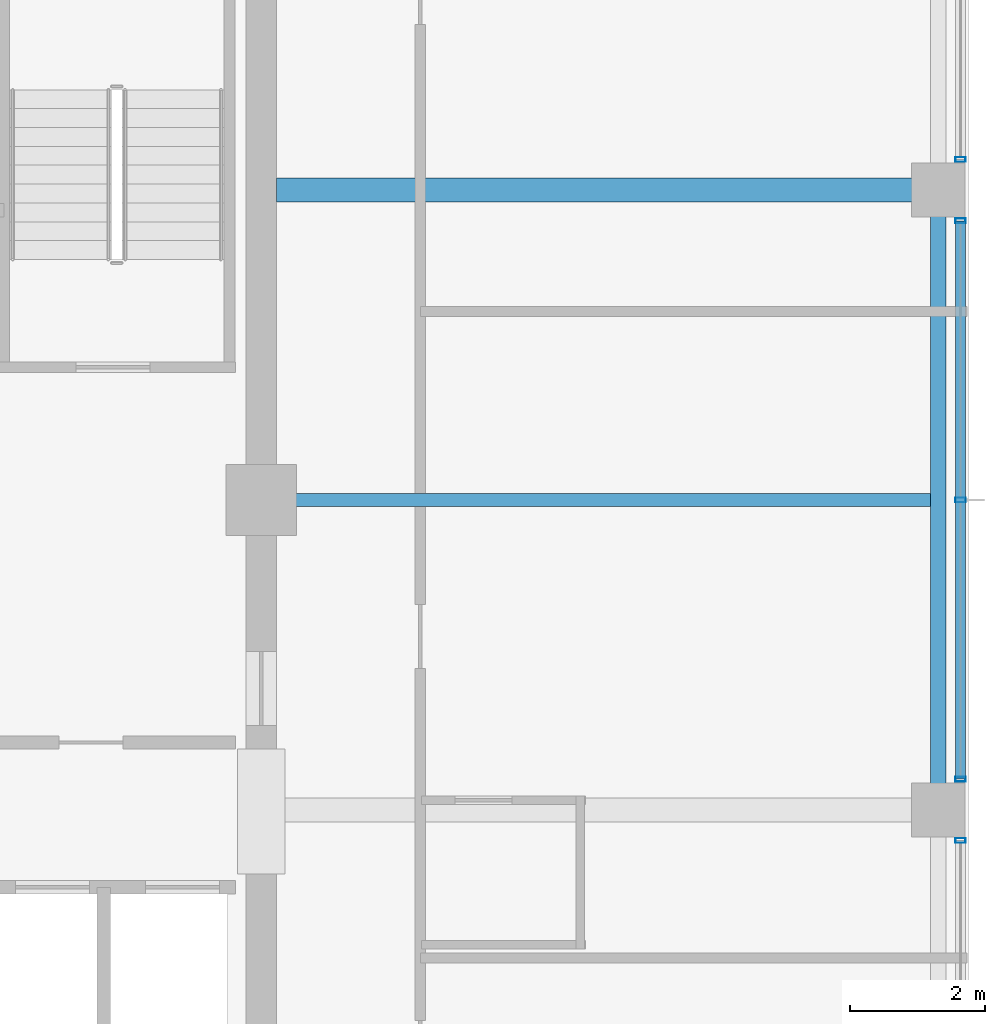
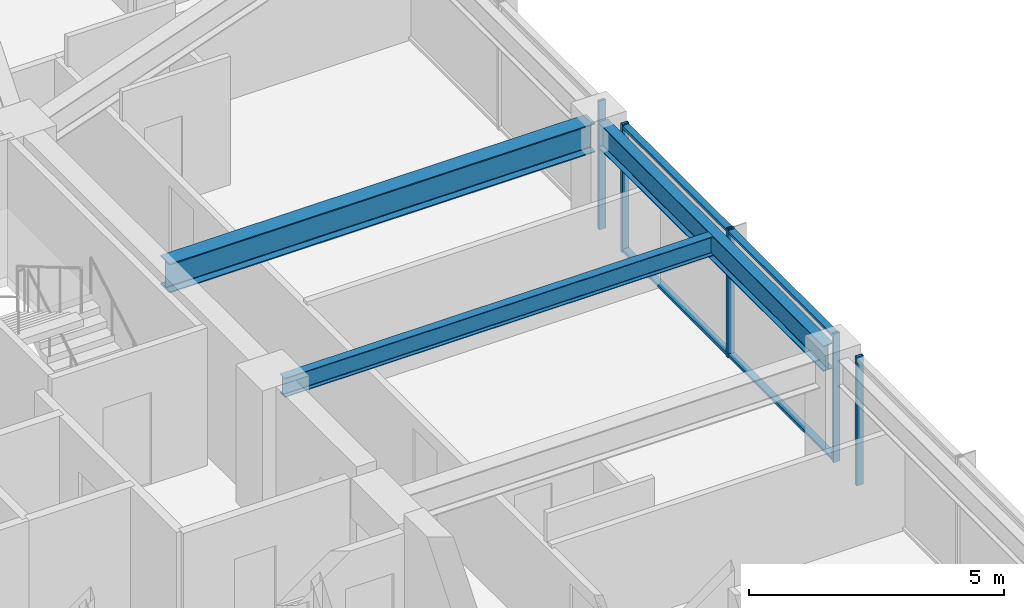
# One storey, part 13 of 36: 7 members, 3 beams, 3 elements without a shape of their own.
"""IFC4 building model written with IfcOpenShell, lengths in metres."""

from ifc_helpers import new_model, si_unit, direction, frame, origin, origin_2d, place, context, subcontext, project, spatial, hollow_rectangle, i_section, extrude, material, material_profile, profile_set, type_object, element, aggregate, save


model = new_model("IFC4")

# Units and contexts
model_context = context("Model", 3, precision=1e-05, world=origin(), true_north=direction((0.0, 1.0)))
body_context = subcontext(model_context, "Body", "Model", "MODEL_VIEW")
ifc_project = project(units=[si_unit("LENGTHUNIT", "METRE"), si_unit("AREAUNIT", "SQUARE_METRE"), si_unit("VOLUMEUNIT", "CUBIC_METRE"), si_unit("PLANEANGLEUNIT", "RADIAN"), si_unit("MASSUNIT", "GRAM", prefix="KILO")], contexts=[model_context])

# Site, building, storey
site_placement = place(None, origin())
site = spatial("IfcSite", under=ifc_project, at=site_placement, CompositionType="ELEMENT")
building_placement = place(site_placement, origin())
building = spatial("IfcBuilding", under=site, at=building_placement, Name="Kolvaren Belvedere", CompositionType="ELEMENT")
storey_placement = place(building_placement, frame((0.0, 0.0, 226.199951171875)))
storey = spatial("IfcBuildingStorey", under=building, at=storey_placement, Name="L66", CompositionType="ELEMENT", Elevation=226.199951171875)

# Beams
ifc_material_1 = material(Name="Structural steel ASTM A992 Grade 50", Category="steel")
ifc_material_profile_1 = material_profile(ifc_material_1, i_section(OverallWidth=0.35498046875, OverallDepth=0.696044921875, WebThickness=0.015380859375, FlangeThickness=0.02490234375, FilletRadius=0.02197265625, at=origin_2d()), Name="W27X146")
ifc_profile_set_1 = profile_set([ifc_material_profile_1], Name="Structural steel ASTM A992 Grade 50")
beam_type_1 = type_object("IfcBeamType", Name="BM-GIRD-W27X146", PredefinedType="BEAM", material=ifc_profile_set_1)
beam_1_placement = place(storey_placement, frame((10.125, 4.60009765625, 2.73193359375), z_axis=(1.0, 0.0, 0.0), x_axis=(0.0, 1.0, 0.0)))
element("IfcBeam", 1, at=beam_1_placement, inside=storey, type_object=beam_type_1, Name="L66 East Radial Girder P", PredefinedType="BEAM", context=body_context, shape_type="SweptSolid", body=[
    extrude(i_section(OverallWidth=0.35498046875, OverallDepth=0.696044921875, WebThickness=0.015380859375, FlangeThickness=0.02490234375, FilletRadius=0.02197265625, at=origin_2d()), origin(), (0.0, 0.0, 1.0), 9.64501953125),
])
ifc_material_2 = material(Name="Structural steel ASTM A992 Grade 50", Category="steel")
ifc_material_profile_2 = material_profile(ifc_material_2, i_section(OverallWidth=0.19091796875, OverallDepth=0.4599609375, WebThickness=0.010009765625, FlangeThickness=0.01611328125, FilletRadius=0.014892578125, at=origin_2d()), Name="W18X55")
ifc_profile_set_2 = profile_set([ifc_material_profile_2], Name="Structural steel ASTM A992 Grade 50")
beam_type_2 = type_object("IfcBeamType", Name="BM-JOIST-W18X55", PredefinedType="BEAM", material=ifc_profile_set_2)
beam_2_placement = place(storey_placement, frame((10.125, 0.0, 2.85009765625), z_axis=(1.0, 0.0, 0.0), x_axis=(0.0, 1.0, 0.0)))
element("IfcBeam", 2, at=beam_2_placement, inside=storey, type_object=beam_type_2, Name="L66 East Centre Floor Beam", PredefinedType="BEAM", context=body_context, shape_type="SweptSolid", body=[
    extrude(i_section(OverallWidth=0.19091796875, OverallDepth=0.4599609375, WebThickness=0.010009765625, FlangeThickness=0.01611328125, FilletRadius=0.014892578125, at=origin_2d()), origin(), (0.0, 0.0, 1.0), 9.71044921875),
])
ifc_material_3 = material(Name="Structural steel ASTM A992 Grade 50", Category="steel")
ifc_material_profile_3 = material_profile(ifc_material_3, i_section(OverallWidth=0.22900390625, OverallDepth=0.612060546875, WebThickness=0.011962890625, FlangeThickness=0.01953125, FilletRadius=0.01806640625, at=origin_2d()), Name="W24X84")
ifc_profile_set_3 = profile_set([ifc_material_profile_3], Name="Structural steel ASTM A992 Grade 50")
beam_type_3 = type_object("IfcBeamType", Name="BM-SPAN-W24X84", PredefinedType="SPANDREL", material=ifc_profile_set_3)
beam_3_placement = place(storey_placement, frame((19.949951171875, -4.419921875, 2.774169921875), z_axis=(0.0, 1.0, 0.0), x_axis=(-1.0, 0.0, 0.0)))
element("IfcBeam", 3, at=beam_3_placement, inside=storey, type_object=beam_type_3, Name="L66 Perimeter Spandrel E2-E3", PredefinedType="SPANDREL", context=body_context, shape_type="SweptSolid", body=[
    extrude(i_section(OverallWidth=0.22900390625, OverallDepth=0.612060546875, WebThickness=0.011962890625, FlangeThickness=0.01953125, FilletRadius=0.01806640625, at=origin_2d()), origin(), (0.0, 0.0, 1.0), 8.83984375),
])

# Curtain wall, member
ifc_material_4 = material(Name="Anodised pale-metal aluminium AA 6063-T6", Category="aluminium")
curtain_wall_type = type_object("IfcCurtainWallType", Name="CW-Z5-HIGH", PredefinedType="NOTDEFINED", material=ifc_material_4)
curtain_wall_1_placement = place(storey_placement, origin())
curtain_wall_1 = element("IfcCurtainWall", 4, at=curtain_wall_1_placement, inside=storey, type_object=curtain_wall_type, Name="L66 Unitised Curtain Wall FCW-L66-E-B1", PredefinedType="NOTDEFINED")
ifc_material_5 = material(Name="Anodised pale-metal aluminium AA 6063-T6", Category="aluminium")
ifc_material_profile_4 = material_profile(ifc_material_5, hollow_rectangle(XDim=0.070068359375, YDim=0.14990234375, WallThickness=0.004150390625, at=origin_2d()), Name="ALU-MUL-150X70")
ifc_profile_set_4 = profile_set([ifc_material_profile_4], Name="Anodised pale-metal aluminium AA 6063-T6")
member_type_1 = type_object("IfcMemberType", Name="CW-MUL-150", PredefinedType="MULLION", material=ifc_profile_set_4)
member_1_placement = place(storey_placement, frame((20.280029296875, 5.054931640625, 0.0), z_axis=(0.0, 0.0, 1.0), x_axis=(0.0, 1.0, 0.0)))
member_1 = element("IfcMember", 5, at=member_1_placement, type_object=member_type_1, Name="FCW-L66-E-B1 Unitised Mullion 3", PredefinedType="MULLION", context=body_context, shape_type="SweptSolid", body=[
    extrude(hollow_rectangle(XDim=0.070068359375, YDim=0.14990234375, WallThickness=0.004150390625, at=origin_2d()), origin(), (0.0, 0.0, 1.0), 3.080078125),
])
aggregate(curtain_wall_1, [member_1])

# Curtain wall, members
curtain_wall_2_placement = place(storey_placement, origin())
curtain_wall_2 = element("IfcCurtainWall", 6, at=curtain_wall_2_placement, inside=storey, type_object=curtain_wall_type, Name="L66 Unitised Curtain Wall FCW-L66-E-B2", PredefinedType="NOTDEFINED")
member_2_placement = place(storey_placement, frame((20.280029296875, 4.14501953125, 0.0), z_axis=(0.0, 0.0, 1.0), x_axis=(0.0, 1.0, 0.0)))
member_2 = element("IfcMember", 7, at=member_2_placement, type_object=member_type_1, Name="FCW-L66-E-B2 Unitised Mullion 1", PredefinedType="MULLION", context=body_context, shape_type="SweptSolid", body=[
    extrude(hollow_rectangle(XDim=0.070068359375, YDim=0.14990234375, WallThickness=0.004150390625, at=origin_2d()), origin(), (0.0, 0.0, 1.0), 3.080078125),
])
member_3_placement = place(storey_placement, frame((20.280029296875, 0.0, 0.0), z_axis=(0.0, 0.0, 1.0), x_axis=(0.0, 1.0, 0.0)))
member_3 = element("IfcMember", 8, at=member_3_placement, type_object=member_type_1, Name="FCW-L66-E-B2 Unitised Mullion 2", PredefinedType="MULLION", context=body_context, shape_type="SweptSolid", body=[
    extrude(hollow_rectangle(XDim=0.070068359375, YDim=0.14990234375, WallThickness=0.004150390625, at=origin_2d()), origin(), (0.0, 0.0, 1.0), 3.080078125),
])
member_4_placement = place(storey_placement, frame((20.280029296875, -4.14501953125, 0.0), z_axis=(0.0, 0.0, 1.0), x_axis=(0.0, 1.0, 0.0)))
member_4 = element("IfcMember", 9, at=member_4_placement, type_object=member_type_1, Name="FCW-L66-E-B2 Unitised Mullion 3", PredefinedType="MULLION", context=body_context, shape_type="SweptSolid", body=[
    extrude(hollow_rectangle(XDim=0.070068359375, YDim=0.14990234375, WallThickness=0.004150390625, at=origin_2d()), origin(), (0.0, 0.0, 1.0), 3.080078125),
])

# Curtain wall, member
curtain_wall_3_placement = place(storey_placement, origin())
curtain_wall_3 = element("IfcCurtainWall", 10, at=curtain_wall_3_placement, inside=storey, type_object=curtain_wall_type, Name="L66 Unitised Curtain Wall FCW-L66-E-B3", PredefinedType="NOTDEFINED")
member_5_placement = place(storey_placement, frame((20.280029296875, -5.054931640625, 0.0), z_axis=(0.0, 0.0, 1.0), x_axis=(0.0, 1.0, 0.0)))
member_5 = element("IfcMember", 11, at=member_5_placement, type_object=member_type_1, Name="FCW-L66-E-B3 Unitised Mullion 1", PredefinedType="MULLION", context=body_context, shape_type="SweptSolid", body=[
    extrude(hollow_rectangle(XDim=0.070068359375, YDim=0.14990234375, WallThickness=0.004150390625, at=origin_2d()), origin(), (0.0, 0.0, 1.0), 3.080078125),
])
aggregate(curtain_wall_3, [member_5])

# Member
ifc_material_6 = material(Name="Anodised pale-metal aluminium AA 6063-T6", Category="aluminium")
ifc_material_profile_5 = material_profile(ifc_material_6, hollow_rectangle(XDim=0.06494140625, YDim=0.14990234375, WallThickness=0.00390625, at=origin_2d()), Name="ALU-TRN-150X65")
ifc_profile_set_5 = profile_set([ifc_material_profile_5], Name="Anodised pale-metal aluminium AA 6063-T6")
member_type_2 = type_object("IfcMemberType", Name="CW-TRN-150", PredefinedType="USERDEFINED", material=ifc_profile_set_5)
member_6_placement = place(storey_placement, frame((20.280029296875, 4.14501953125, 0.06005859375), z_axis=(0.0, -1.0, 0.0), x_axis=(0.0, 0.0, 1.0)))
member_6 = element("IfcMember", 12, at=member_6_placement, type_object=member_type_2, Name="FCW-L66-E-B2 Sill Transom", ObjectType="TRANSOM", PredefinedType="USERDEFINED", context=body_context, shape_type="SweptSolid", body=[
    extrude(hollow_rectangle(XDim=0.06494140625, YDim=0.14990234375, WallThickness=0.00390625, at=origin_2d()), origin(), (0.0, 0.0, 1.0), 8.2900390625),
])

member_7_placement = place(storey_placement, frame((20.280029296875, 4.14501953125, 3.02001953125), z_axis=(0.0, -1.0, 0.0), x_axis=(0.0, 0.0, 1.0)))
member_7 = element("IfcMember", 13, at=member_7_placement, type_object=member_type_2, Name="FCW-L66-E-B2 Head Transom", ObjectType="TRANSOM", PredefinedType="USERDEFINED", context=body_context, shape_type="SweptSolid", body=[
    extrude(hollow_rectangle(XDim=0.06494140625, YDim=0.14990234375, WallThickness=0.00390625, at=origin_2d()), origin(), (0.0, 0.0, 1.0), 8.2900390625),
])

aggregate(curtain_wall_2, [member_2, member_3, member_4, member_6, member_7])

save(model, "model.ifc")
